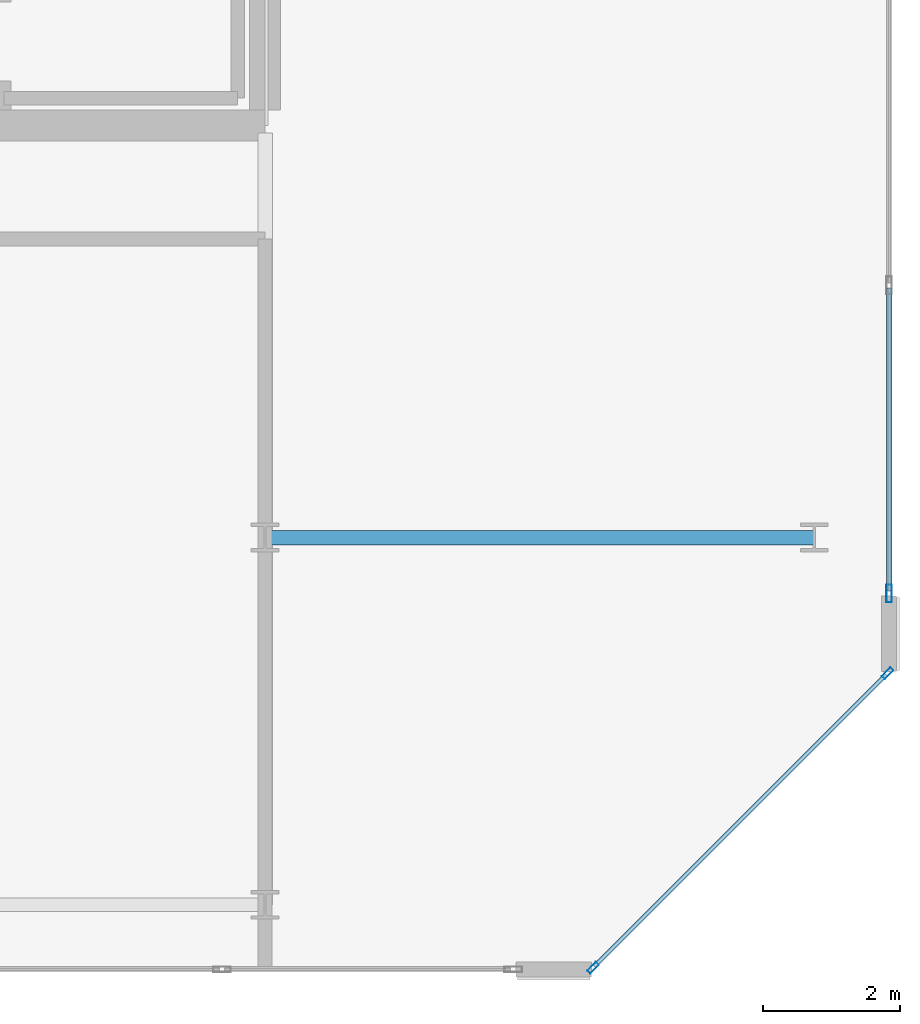
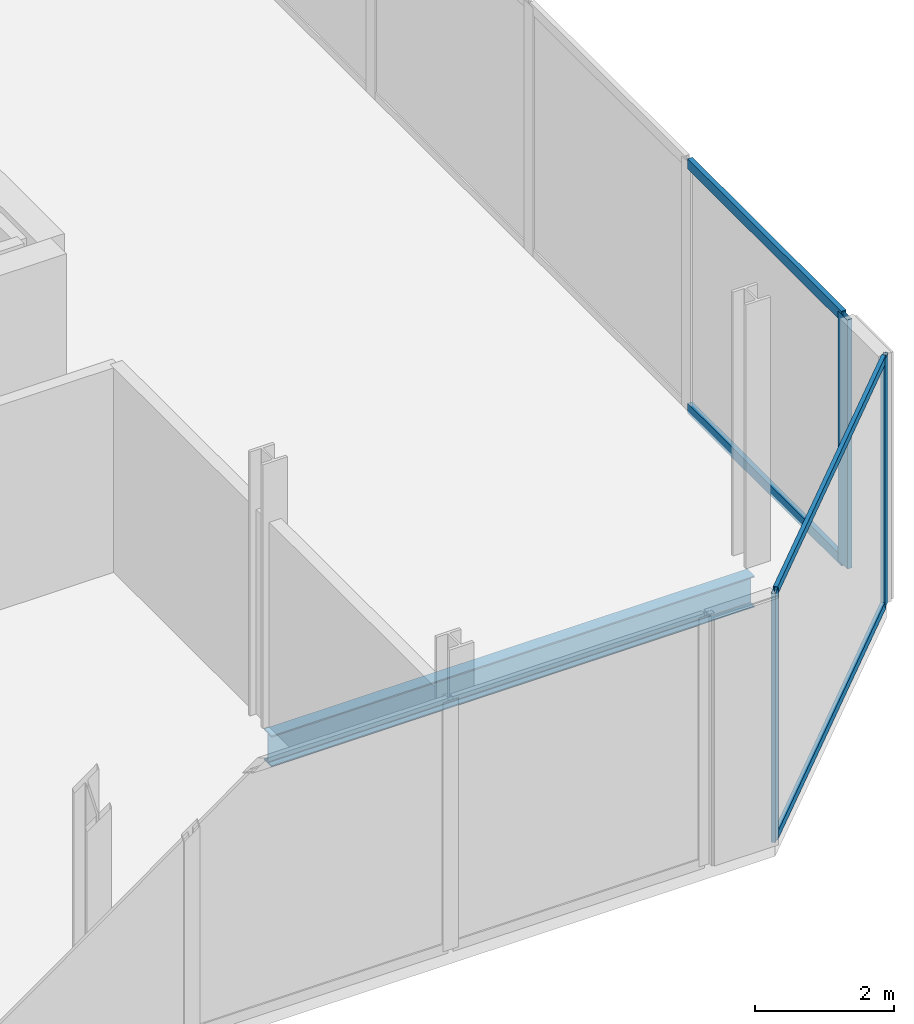
# One storey, part 7 of 16: 7 members, 1 beam, 2 elements without a shape of their own.
"""IFC4 building model written with IfcOpenShell, lengths in metres."""

from ifc_helpers import new_model, si_unit, direction, frame, origin, origin_2d, place, context, subcontext, project, spatial, hollow_rectangle, i_section, extrude, material, layer, layer_set, material_profile, profile_set, type_object, element, aggregate, save


model = new_model("IFC4")

# Units and contexts
model_context = context("Model", 3, precision=1e-05, world=origin(), true_north=direction((0.0, 1.0)))
body_context = subcontext(model_context, "Body", "Model", "MODEL_VIEW")
ifc_project = project(units=[si_unit("LENGTHUNIT", "METRE"), si_unit("AREAUNIT", "SQUARE_METRE"), si_unit("VOLUMEUNIT", "CUBIC_METRE"), si_unit("PLANEANGLEUNIT", "RADIAN"), si_unit("MASSUNIT", "GRAM", prefix="KILO")], contexts=[model_context])

# Site, building, storey
site_placement = place(None, origin())
site = spatial("IfcSite", under=ifc_project, at=site_placement, CompositionType="ELEMENT")
building_placement = place(site_placement, origin())
building = spatial("IfcBuilding", under=site, at=building_placement, Name="Tanjung Sevakor Pilgrim Tower", CompositionType="ELEMENT")
storey_placement = place(building_placement, frame((0.0, 0.0, 283.139892578125)))
storey = spatial("IfcBuildingStorey", under=building, at=storey_placement, Name="L79", CompositionType="ELEMENT", Elevation=283.139892578125)

# Beam
ifc_material_1 = material(Name="Steel S355J2", Category="steel")
ifc_material_profile_1 = material_profile(ifc_material_1, i_section(OverallWidth=0.2119140625, OverallDepth=0.54443359375, WebThickness=0.0126953125, FlangeThickness=0.021240234375, FilletRadius=0.0126953125, at=origin_2d()))
ifc_profile_set_1 = profile_set([ifc_material_profile_1], Name="Steel S355J2")
beam_type = type_object("IfcBeamType", Name="BM-B-G5-UB_533x210x122", PredefinedType="BEAM", material=ifc_profile_set_1)
beam_placement = place(storey_placement, frame((90.0, 18.60009765625, -0.531982421875), z_axis=(1.0, 0.0, 0.0), x_axis=(0.0, 1.0, 0.0)))
element("IfcBeam", 1, at=beam_placement, inside=storey, type_object=beam_type, Name="L79 East Peak Wing Girder Y18.6", PredefinedType="BEAM", context=body_context, shape_type="SweptSolid", body=[
    extrude(i_section(OverallWidth=0.2119140625, OverallDepth=0.54443359375, WebThickness=0.0126953125, FlangeThickness=0.021240234375, FilletRadius=0.0126953125, at=origin_2d()), origin(), (0.0, 0.0, 1.0), 8.0),
])

# Curtain wall, members
ifc_material_2 = material(Name="Aluminium 6063-T6 and Low-E Glass", Category="aluminium")
ifc_layer_1 = layer(ifc_material_2, 0.179931640625)
ifc_layer_set_1 = layer_set([ifc_layer_1], Name="CW-SYS-CHAM")
curtain_wall_type_1 = type_object("IfcCurtainWallType", Name="CW-SYS-CHAM", PredefinedType="NOTDEFINED", material=ifc_layer_set_1)
curtain_wall_1_placement = place(storey_placement, origin())
curtain_wall_1 = element("IfcCurtainWall", 2, at=curtain_wall_1_placement, inside=storey, type_object=curtain_wall_type_1, Name="L79 Curtain Wall CW-CHM-L79-EAST-1", PredefinedType="NOTDEFINED")
ifc_material_3 = material(Name="Aluminium 6063-T6", Category="aluminium")
ifc_material_profile_2 = material_profile(ifc_material_3, hollow_rectangle(XDim=0.06494140625, YDim=0.179931640625, WallThickness=0.00390625, at=origin_2d()))
ifc_profile_set_2 = profile_set([ifc_material_profile_2], Name="Aluminium 6063-T6")
member_type_1 = type_object("IfcMemberType", Name="TYPE-CWM-1", PredefinedType="MULLION", material=ifc_profile_set_2)
member_1_placement = place(storey_placement, frame((94.77734375, 12.3330078125, 0.0), z_axis=(0.0, 0.0, 1.0), x_axis=(-0.707106781187, 0.707106781187, 0.0)))
member_1 = element("IfcMember", 3, at=member_1_placement, type_object=member_type_1, Name="CW-CHM mullion 1", PredefinedType="MULLION", context=body_context, shape_type="SweptSolid", body=[
    extrude(hollow_rectangle(XDim=0.06494140625, YDim=0.179931640625, WallThickness=0.00390625, at=origin_2d()), origin(), (0.0, 0.0, 1.0), 4.360107421875),
])
member_2_placement = place(storey_placement, frame((99.067138671875, 16.62255859375, 0.0), z_axis=(0.0, 0.0, 1.0), x_axis=(-0.707106781187, 0.707106781187, 0.0)))
member_2 = element("IfcMember", 4, at=member_2_placement, type_object=member_type_1, Name="CW-CHM mullion 2", PredefinedType="MULLION", context=body_context, shape_type="SweptSolid", body=[
    extrude(hollow_rectangle(XDim=0.06494140625, YDim=0.179931640625, WallThickness=0.00390625, at=origin_2d()), origin(), (0.0, 0.0, 1.0), 4.360107421875),
])

# Curtain wall, member
ifc_material_4 = material(Name="Aluminium 6063-T6 and Low-E Glass", Category="aluminium")
ifc_layer_2 = layer(ifc_material_4, 0.219970703125)
ifc_layer_set_2 = layer_set([ifc_layer_2], Name="CW-SYS-CRNE")
curtain_wall_type_2 = type_object("IfcCurtainWallType", Name="CW-SYS-CRNE", PredefinedType="NOTDEFINED", material=ifc_layer_set_2)
curtain_wall_2_placement = place(storey_placement, origin())
curtain_wall_2 = element("IfcCurtainWall", 5, at=curtain_wall_2_placement, inside=storey, type_object=curtain_wall_type_2, Name="L79 Curtain Wall CW-CRN-L79-EAST-2-1", PredefinedType="NOTDEFINED")
ifc_material_5 = material(Name="Aluminium 6063-T6", Category="aluminium")
ifc_material_profile_3 = material_profile(ifc_material_5, hollow_rectangle(XDim=0.080078125, YDim=0.260009765625, WallThickness=0.0048828125, at=origin_2d()))
ifc_profile_set_3 = profile_set([ifc_material_profile_3], Name="Aluminium 6063-T6")
member_type_2 = type_object("IfcMemberType", Name="TYPE-CWM-3", PredefinedType="MULLION", material=ifc_profile_set_3)
member_3_placement = place(storey_placement, frame((99.090087890625, 17.78564453125, 0.0), z_axis=(0.0, 0.0, 1.0), x_axis=(-1.0, 0.0, 0.0)))
member_3 = element("IfcMember", 6, at=member_3_placement, type_object=member_type_2, Name="CW-CRE mullion 1", PredefinedType="MULLION", context=body_context, shape_type="SweptSolid", body=[
    extrude(hollow_rectangle(XDim=0.080078125, YDim=0.260009765625, WallThickness=0.0048828125, at=origin_2d()), origin(), (0.0, 0.0, 1.0), 4.360107421875),
])

# Member
ifc_material_6 = material(Name="Aluminium 6063-T6", Category="aluminium")
ifc_material_profile_4 = material_profile(ifc_material_6, hollow_rectangle(XDim=0.06494140625, YDim=0.139892578125, WallThickness=0.00390625, at=origin_2d()))
ifc_profile_set_4 = profile_set([ifc_material_profile_4], Name="Aluminium 6063-T6")
member_type_3 = type_object("IfcMemberType", Name="TYPE-CWT-1", PredefinedType="USERDEFINED", material=ifc_profile_set_4)
member_4_placement = place(storey_placement, frame((94.80029296875, 12.35595703125, 0.03271484375), z_axis=(0.707106781187, 0.707106781187, 0.0), x_axis=(-0.707106781187, 0.707106781187, 0.0)))
member_4 = element("IfcMember", 7, at=member_4_placement, type_object=member_type_3, Name="CW-CHM transom 1.1", ObjectType="TRANSOM", PredefinedType="USERDEFINED", context=body_context, shape_type="SweptSolid", body=[
    extrude(hollow_rectangle(XDim=0.06494140625, YDim=0.139892578125, WallThickness=0.00390625, at=origin_2d()), origin(), (0.0, 0.0, 1.0), 6.00146484375),
])

member_5_placement = place(storey_placement, frame((94.80029296875, 12.35595703125, 4.32763671875), z_axis=(0.707106781187, 0.707106781187, 0.0), x_axis=(-0.707106781187, 0.707106781187, 0.0)))
member_5 = element("IfcMember", 8, at=member_5_placement, type_object=member_type_3, Name="CW-CHM transom 1.2", ObjectType="TRANSOM", PredefinedType="USERDEFINED", context=body_context, shape_type="SweptSolid", body=[
    extrude(hollow_rectangle(XDim=0.06494140625, YDim=0.139892578125, WallThickness=0.00390625, at=origin_2d()), origin(), (0.0, 0.0, 1.0), 6.00146484375),
])

aggregate(curtain_wall_1, [member_1, member_2, member_4, member_5])

ifc_material_7 = material(Name="Aluminium 6063-T6", Category="aluminium")
ifc_material_profile_5 = material_profile(ifc_material_7, hollow_rectangle(XDim=0.080078125, YDim=0.179931640625, WallThickness=0.0048828125, at=origin_2d()))
ifc_profile_set_5 = profile_set([ifc_material_profile_5], Name="Aluminium 6063-T6")
member_type_4 = type_object("IfcMemberType", Name="TYPE-CWT-3", PredefinedType="USERDEFINED", material=ifc_profile_set_5)
member_6_placement = place(storey_placement, frame((99.090087890625, 17.82568359375, 0.0400390625), z_axis=(0.0, 1.0, 0.0), x_axis=(-1.0, 0.0, 0.0)))
member_6 = element("IfcMember", 9, at=member_6_placement, type_object=member_type_4, Name="CW-CRE transom 1.1", ObjectType="TRANSOM", PredefinedType="USERDEFINED", context=body_context, shape_type="SweptSolid", body=[
    extrude(hollow_rectangle(XDim=0.080078125, YDim=0.179931640625, WallThickness=0.0048828125, at=origin_2d()), origin(), (0.0, 0.0, 1.0), 4.40966796875),
])

member_7_placement = place(storey_placement, frame((99.090087890625, 17.82568359375, 4.320068359375), z_axis=(0.0, 1.0, 0.0), x_axis=(-1.0, 0.0, 0.0)))
member_7 = element("IfcMember", 10, at=member_7_placement, type_object=member_type_4, Name="CW-CRE transom 1.2", ObjectType="TRANSOM", PredefinedType="USERDEFINED", context=body_context, shape_type="SweptSolid", body=[
    extrude(hollow_rectangle(XDim=0.080078125, YDim=0.179931640625, WallThickness=0.0048828125, at=origin_2d()), origin(), (0.0, 0.0, 1.0), 4.40966796875),
])

aggregate(curtain_wall_2, [member_3, member_6, member_7])

save(model, "model.ifc")
